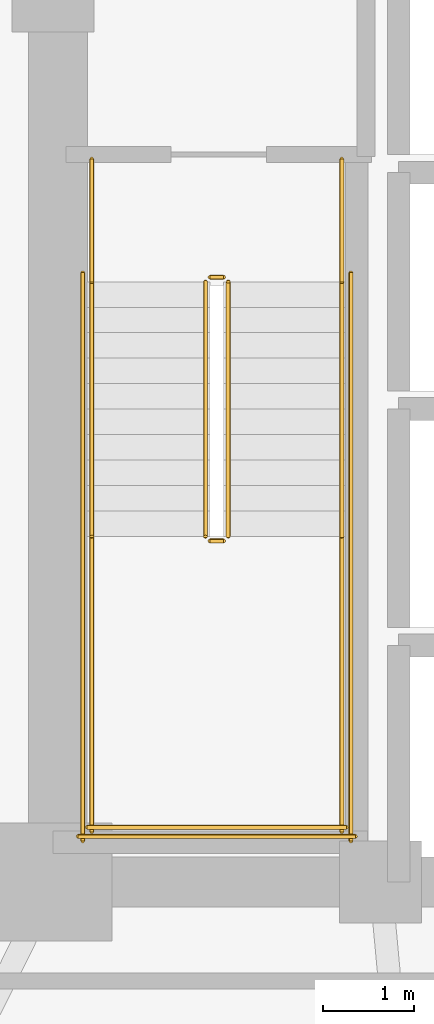
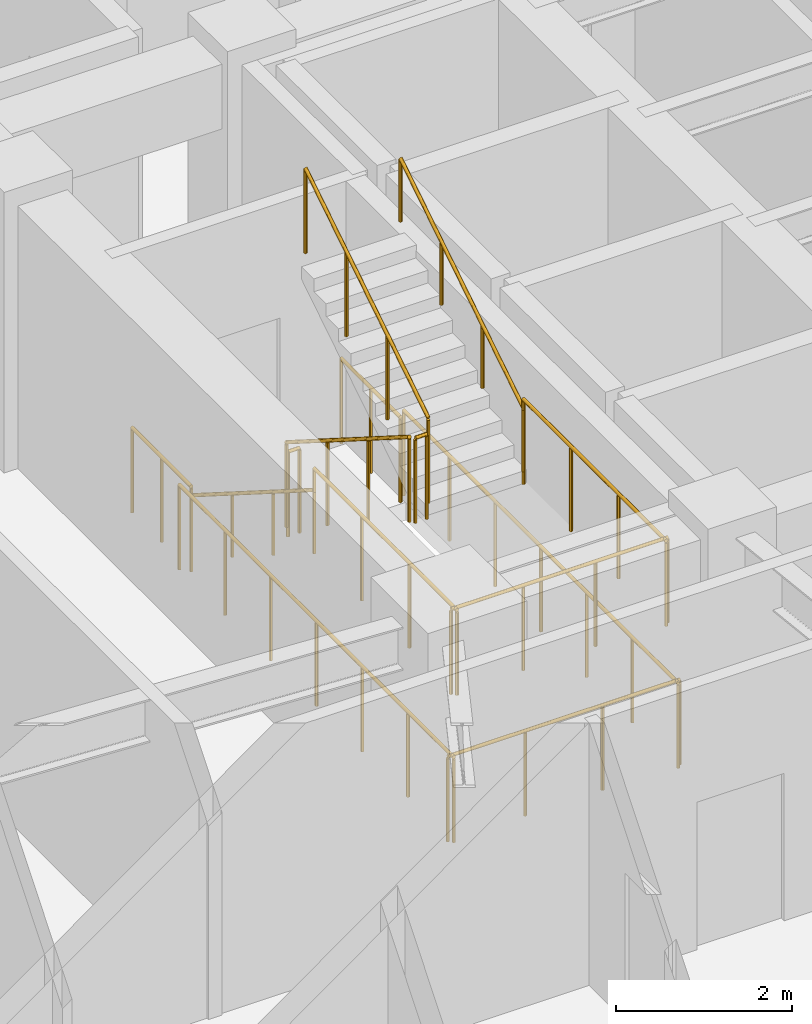
# One storey, part 11 of 12: 14 railings.
"""IFC4 building model written with IfcOpenShell, lengths in metres."""

from ifc_helpers import new_model, si_unit, direction, frame, origin, origin_2d, place, context, subcontext, project, spatial, circle, extrude, material, type_object, element, save


model = new_model("IFC4")

# Units and contexts
model_context = context("Model", 3, precision=1e-05, world=origin(), true_north=direction((0.0, 1.0)))
body_context = subcontext(model_context, "Body", "Model", "MODEL_VIEW")
ifc_project = project(units=[si_unit("LENGTHUNIT", "METRE"), si_unit("AREAUNIT", "SQUARE_METRE"), si_unit("VOLUMEUNIT", "CUBIC_METRE"), si_unit("PLANEANGLEUNIT", "RADIAN"), si_unit("MASSUNIT", "GRAM", prefix="KILO")], contexts=[model_context])

# Site, building, storey
site_placement = place(None, origin())
site = spatial("IfcSite", under=ifc_project, at=site_placement, CompositionType="ELEMENT")
building_placement = place(site_placement, origin())
building = spatial("IfcBuilding", under=site, at=building_placement, Name="Voryun Gate Residences", CompositionType="ELEMENT")
storey_placement = place(building_placement, frame((0.0, 0.0, 128.699951171875)))
storey = spatial("IfcBuildingStorey", under=building, at=storey_placement, Name="L31", CompositionType="ELEMENT", Elevation=128.699951171875)

# Railings
ifc_material_1 = material(Name="Painted steel", Category="steel")
railing_type_1 = type_object("IfcRailingType", Name="RAIL_STAIR_GUARD_1200", PredefinedType="GUARDRAIL", material=ifc_material_1)
railing_1_placement = place(storey_placement, frame((-17.52490234375, -0.800048828125, 0.17724609375)))
element("IfcRailing", 1, at=railing_1_placement, inside=storey, type_object=railing_type_1, Name="L31 ST-W1 stair guard 1", PredefinedType="GUARDRAIL", context=body_context, shape_type="SweptSolid", body=[
    extrude(circle(Radius=0.02392578125, at=origin_2d()), frame((0.0, 0.0, 1.17578125), z_axis=(0.0, -0.844908973607, 0.534910110503), x_axis=(1.0, 0.0, 0.0)), (0.0, 0.0, 1.0), 3.31396484375),
    extrude(circle(Radius=0.02099609375, at=origin_2d()), origin(), (0.0, 0.0, 1.0), 1.15185546875),
    extrude(circle(Radius=0.02099609375, at=origin_2d()), frame((0.0, -0.933349609375, 0.5908203125)), (0.0, 0.0, 1.0), 1.15185546875),
    extrude(circle(Radius=0.02099609375, at=origin_2d()), frame((0.0, -1.86669921875, 1.181884765625)), (0.0, 0.0, 1.0), 1.15185546875),
    extrude(circle(Radius=0.02099609375, at=origin_2d()), frame((0.0, -2.800048828125, 1.772705078125)), (0.0, 0.0, 1.0), 1.15185546875),
])
railing_2_placement = place(storey_placement, frame((-17.47509765625, -3.64990234375, 1.949951171875)))
element("IfcRailing", 2, at=railing_2_placement, inside=storey, type_object=railing_type_1, Name="L31 ST-W1 stair guard 2", PredefinedType="GUARDRAIL", context=body_context, shape_type="SweptSolid", body=[
    extrude(circle(Radius=0.02392578125, at=origin_2d()), frame((0.0, 0.0, 1.17578125), z_axis=(1.0, 0.0, 0.0), x_axis=(0.0, 1.0, 0.0)), (0.0, 0.0, 1.0), 0.150146484375),
    extrude(circle(Radius=0.02099609375, at=origin_2d()), origin(), (0.0, 0.0, 1.0), 1.15185546875),
    extrude(circle(Radius=0.02099609375, at=origin_2d()), frame((0.150146484375, 0.0, 0.0)), (0.0, 0.0, 1.0), 1.15185546875),
])
for number, where, name in (
    (3, (-18.77490234375, -3.60009765625, 1.949951171875), "L31 ST-W1 stair guard 3"),
    (4, (-16.02490234375, -3.60009765625, 1.949951171875), "L31 ST-W1 stair guard 4"),
):
    element("IfcRailing", number, at=place(storey_placement, frame(where)), inside=storey, type_object=railing_type_1, Name=name, PredefinedType="GUARDRAIL", context=body_context, shape_type="SweptSolid", body=[
        extrude(circle(Radius=0.02392578125, at=origin_2d()), frame((0.0, 0.0, 1.17578125), z_axis=(0.0, -1.0, 0.0), x_axis=(1.0, 0.0, 0.0)), (0.0, 0.0, 1.0), 3.25),
        extrude(circle(Radius=0.02099609375, at=origin_2d()), origin(), (0.0, 0.0, 1.0), 1.15185546875),
        extrude(circle(Radius=0.02099609375, at=origin_2d()), frame((0.0, -1.083251953125, 0.0)), (0.0, 0.0, 1.0), 1.15185546875),
        extrude(circle(Radius=0.02099609375, at=origin_2d()), frame((0.0, -2.166748046875, 0.0)), (0.0, 0.0, 1.0), 1.15185546875),
        extrude(circle(Radius=0.02099609375, at=origin_2d()), frame((0.0, -3.25, 0.0)), (0.0, 0.0, 1.0), 1.15185546875),
    ])
railing_3_placement = place(storey_placement, frame((-18.824951171875, -6.800048828125, 1.949951171875)))
element("IfcRailing", 5, at=railing_3_placement, inside=storey, type_object=railing_type_1, Name="L31 ST-W1 stair guard 5", PredefinedType="GUARDRAIL", context=body_context, shape_type="SweptSolid", body=[
    extrude(circle(Radius=0.02392578125, at=origin_2d()), frame((0.0, 0.0, 1.17578125), z_axis=(1.0, 0.0, 0.0), x_axis=(0.0, 1.0, 0.0)), (0.0, 0.0, 1.0), 2.849853515625),
    extrude(circle(Radius=0.02099609375, at=origin_2d()), origin(), (0.0, 0.0, 1.0), 1.15185546875),
    extrude(circle(Radius=0.02099609375, at=origin_2d()), frame((0.949951171875, 0.0, 0.0)), (0.0, 0.0, 1.0), 1.15185546875),
    extrude(circle(Radius=0.02099609375, at=origin_2d()), frame((1.89990234375, 0.0, 0.0)), (0.0, 0.0, 1.0), 1.15185546875),
    extrude(circle(Radius=0.02099609375, at=origin_2d()), frame((2.849853515625, 0.0, 0.0)), (0.0, 0.0, 1.0), 1.15185546875),
])
railing_4_placement = place(storey_placement, frame((-17.27490234375, -3.60009765625, 2.12744140625)))
element("IfcRailing", 6, at=railing_4_placement, inside=storey, type_object=railing_type_1, Name="L31 ST-W1 stair guard 6", PredefinedType="GUARDRAIL", context=body_context, shape_type="SweptSolid", body=[
    extrude(circle(Radius=0.02392578125, at=origin_2d()), frame((0.0, 0.0, 1.17578125), z_axis=(0.0, 0.844908973607, 0.534910110503), x_axis=(-1.0, 0.0, 0.0)), (0.0, 0.0, 1.0), 3.31396484375),
    extrude(circle(Radius=0.02099609375, at=origin_2d()), origin(), (0.0, 0.0, 1.0), 1.15185546875),
    extrude(circle(Radius=0.02099609375, at=origin_2d()), frame((0.0, 0.933349609375, 0.5908203125)), (0.0, 0.0, 1.0), 1.15185546875),
    extrude(circle(Radius=0.02099609375, at=origin_2d()), frame((0.0, 1.86669921875, 1.181884765625)), (0.0, 0.0, 1.0), 1.15185546875),
    extrude(circle(Radius=0.02099609375, at=origin_2d()), frame((0.0, 2.800048828125, 1.772705078125)), (0.0, 0.0, 1.0), 1.15185546875),
])
railing_5_placement = place(storey_placement, frame((-17.47509765625, -0.75, 0.0)))
element("IfcRailing", 7, at=railing_5_placement, inside=storey, type_object=railing_type_1, Name="L31 ST-W1 stair guard 7", PredefinedType="GUARDRAIL", context=body_context, shape_type="SweptSolid", body=[
    extrude(circle(Radius=0.02392578125, at=origin_2d()), frame((0.0, 0.0, 1.17578125), z_axis=(1.0, 0.0, 0.0), x_axis=(0.0, 1.0, 0.0)), (0.0, 0.0, 1.0), 0.150146484375),
    extrude(circle(Radius=0.02099609375, at=origin_2d()), origin(), (0.0, 0.0, 1.0), 1.15185546875),
    extrude(circle(Radius=0.02099609375, at=origin_2d()), frame((0.150146484375, 0.0, 0.0)), (0.0, 0.0, 1.0), 1.15185546875),
])
for number, where, name in (
    (8, (-18.77490234375, 0.550048828125, 0.0), "L31 ST-W1 stair guard 8"),
    (9, (-16.02490234375, 0.550048828125, 0.0), "L31 ST-W1 stair guard 9"),
):
    element("IfcRailing", number, at=place(storey_placement, frame(where)), inside=storey, type_object=railing_type_1, Name=name, PredefinedType="GUARDRAIL", context=body_context, shape_type="SweptSolid", body=[
        extrude(circle(Radius=0.02392578125, at=origin_2d()), frame((0.0, 0.0, 1.17578125), z_axis=(0.0, -1.0, 0.0), x_axis=(1.0, 0.0, 0.0)), (0.0, 0.0, 1.0), 1.35009765625),
        extrude(circle(Radius=0.02099609375, at=origin_2d()), origin(), (0.0, 0.0, 1.0), 1.15185546875),
        extrude(circle(Radius=0.02099609375, at=origin_2d()), frame((0.0, -0.675048828125, 0.0)), (0.0, 0.0, 1.0), 1.15185546875),
        extrude(circle(Radius=0.02099609375, at=origin_2d()), frame((0.0, -1.35009765625, 0.0)), (0.0, 0.0, 1.0), 1.15185546875),
    ])
for number, where, name in (
    (10, (-18.875, -0.699951171875, 0.0), "L31 ST-W1 stair guard 10"),
    (11, (-15.925048828125, -0.699951171875, 0.0), "L31 ST-W1 stair guard 11"),
):
    element("IfcRailing", number, at=place(storey_placement, frame(where)), inside=storey, type_object=railing_type_1, Name=name, PredefinedType="GUARDRAIL", context=body_context, shape_type="SweptSolid", body=[
        extrude(circle(Radius=0.02392578125, at=origin_2d()), frame((0.0, 0.0, 1.17578125), z_axis=(0.0, -1.0, 0.0), x_axis=(1.0, 0.0, 0.0)), (0.0, 0.0, 1.0), 6.25),
        extrude(circle(Radius=0.02099609375, at=origin_2d()), origin(), (0.0, 0.0, 1.0), 1.15185546875),
        extrude(circle(Radius=0.02099609375, at=origin_2d()), frame((0.0, -1.041748046875, 0.0)), (0.0, 0.0, 1.0), 1.15185546875),
        extrude(circle(Radius=0.02099609375, at=origin_2d()), frame((0.0, -2.083251953125, 0.0)), (0.0, 0.0, 1.0), 1.15185546875),
        extrude(circle(Radius=0.02099609375, at=origin_2d()), frame((0.0, -3.125, 0.0)), (0.0, 0.0, 1.0), 1.15185546875),
        extrude(circle(Radius=0.02099609375, at=origin_2d()), frame((0.0, -4.166748046875, 0.0)), (0.0, 0.0, 1.0), 1.15185546875),
        extrude(circle(Radius=0.02099609375, at=origin_2d()), frame((0.0, -5.208251953125, 0.0)), (0.0, 0.0, 1.0), 1.15185546875),
        extrude(circle(Radius=0.02099609375, at=origin_2d()), frame((0.0, -6.25, 0.0)), (0.0, 0.0, 1.0), 1.15185546875),
    ])
railing_6_placement = place(storey_placement, frame((-18.925048828125, -6.89990234375, 0.0)))
element("IfcRailing", 12, at=railing_6_placement, inside=storey, type_object=railing_type_1, Name="L31 ST-W1 stair guard 12", PredefinedType="GUARDRAIL", context=body_context, shape_type="SweptSolid", body=[
    extrude(circle(Radius=0.02392578125, at=origin_2d()), frame((0.0, 0.0, 1.17578125), z_axis=(1.0, 0.0, 0.0), x_axis=(0.0, 1.0, 0.0)), (0.0, 0.0, 1.0), 3.050048828125),
    extrude(circle(Radius=0.02099609375, at=origin_2d()), origin(), (0.0, 0.0, 1.0), 1.15185546875),
    extrude(circle(Radius=0.02099609375, at=origin_2d()), frame((1.0166015625, 0.0, 0.0)), (0.0, 0.0, 1.0), 1.15185546875),
    extrude(circle(Radius=0.02099609375, at=origin_2d()), frame((2.033447265625, 0.0, 0.0)), (0.0, 0.0, 1.0), 1.15185546875),
    extrude(circle(Radius=0.02099609375, at=origin_2d()), frame((3.050048828125, 0.0, 0.0)), (0.0, 0.0, 1.0), 1.15185546875),
])
ifc_material_2 = material(Name="Painted steel", Category="steel")
railing_type_2 = type_object("IfcRailingType", Name="RAIL_STAIR_HANDRAIL_900", PredefinedType="HANDRAIL", material=ifc_material_2)
railing_7_placement = place(storey_placement, frame((-18.77490234375, -0.800048828125, 0.17724609375)))
element("IfcRailing", 13, at=railing_7_placement, inside=storey, type_object=railing_type_2, Name="L31 ST-W1 stair handrail 1", PredefinedType="HANDRAIL", context=body_context, shape_type="SweptSolid", body=[
    extrude(circle(Radius=0.02392578125, at=origin_2d()), frame((0.0, 0.0, 0.8759765625), z_axis=(0.0, -0.844908973607, 0.534910110503), x_axis=(1.0, 0.0, 0.0)), (0.0, 0.0, 1.0), 3.31396484375),
    extrude(circle(Radius=0.02099609375, at=origin_2d()), origin(), (0.0, 0.0, 1.0), 0.851806640625),
    extrude(circle(Radius=0.02099609375, at=origin_2d()), frame((0.0, -0.933349609375, 0.5908203125)), (0.0, 0.0, 1.0), 0.851806640625),
    extrude(circle(Radius=0.02099609375, at=origin_2d()), frame((0.0, -1.86669921875, 1.181884765625)), (0.0, 0.0, 1.0), 0.851806640625),
    extrude(circle(Radius=0.02099609375, at=origin_2d()), frame((0.0, -2.800048828125, 1.772705078125)), (0.0, 0.0, 1.0), 0.851806640625),
])
railing_8_placement = place(storey_placement, frame((-16.02490234375, -3.60009765625, 2.12744140625)))
element("IfcRailing", 14, at=railing_8_placement, inside=storey, type_object=railing_type_2, Name="L31 ST-W1 stair handrail 2", PredefinedType="HANDRAIL", context=body_context, shape_type="SweptSolid", body=[
    extrude(circle(Radius=0.02392578125, at=origin_2d()), frame((0.0, 0.0, 0.8759765625), z_axis=(0.0, 0.844908973607, 0.534910110503), x_axis=(-1.0, 0.0, 0.0)), (0.0, 0.0, 1.0), 3.31396484375),
    extrude(circle(Radius=0.02099609375, at=origin_2d()), origin(), (0.0, 0.0, 1.0), 0.851806640625),
    extrude(circle(Radius=0.02099609375, at=origin_2d()), frame((0.0, 0.933349609375, 0.5908203125)), (0.0, 0.0, 1.0), 0.851806640625),
    extrude(circle(Radius=0.02099609375, at=origin_2d()), frame((0.0, 1.86669921875, 1.181884765625)), (0.0, 0.0, 1.0), 0.851806640625),
    extrude(circle(Radius=0.02099609375, at=origin_2d()), frame((0.0, 2.800048828125, 1.772705078125)), (0.0, 0.0, 1.0), 0.851806640625),
])

save(model, "model.ifc")
